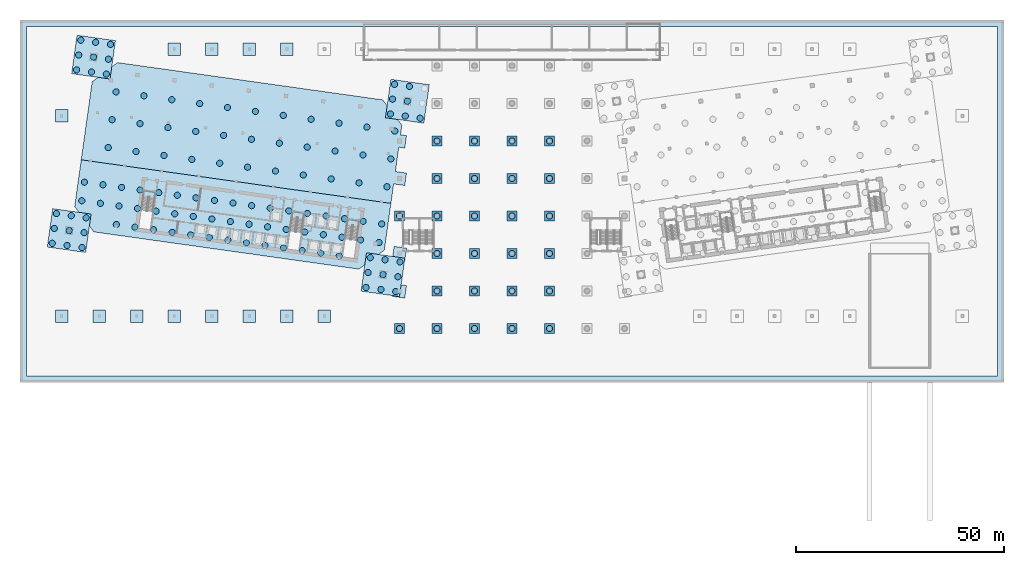
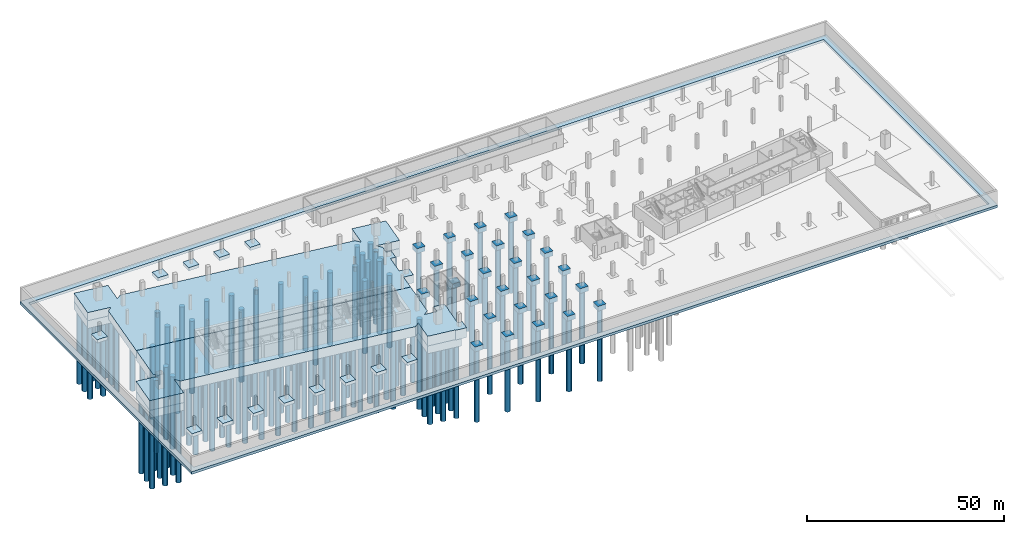
# One storey, part 1 of 19: 140 piles, 46 footings.
"""IFC4 building model written with IfcOpenShell, lengths in metres."""

from ifc_helpers import new_model, si_unit, direction, frame, origin, origin_2d, place, context, subcontext, project, spatial, polyline, circle, outline, extrude, material, material_profile, profile_set, type_object, element, save


model = new_model("IFC4")

# Units and contexts
model_context = context("Model", 3, precision=1e-05, world=origin(), true_north=direction((0.0, 1.0)))
body_context = subcontext(model_context, "Body", "Model", "MODEL_VIEW")
ifc_project = project(units=[si_unit("LENGTHUNIT", "METRE"), si_unit("AREAUNIT", "SQUARE_METRE"), si_unit("VOLUMEUNIT", "CUBIC_METRE"), si_unit("PLANEANGLEUNIT", "RADIAN"), si_unit("MASSUNIT", "GRAM", prefix="KILO")], contexts=[model_context])

# Site, building, storey
site_placement = place(None, origin())
site = spatial("IfcSite", under=ifc_project, at=site_placement, CompositionType="ELEMENT")
building_placement = place(site_placement, origin())
building = spatial("IfcBuilding", under=site, at=building_placement, Name="Mirante Cascada Hotel Towers", CompositionType="ELEMENT")
storey_placement = place(building_placement, frame((0.0, 0.0, -9.0)))
storey = spatial("IfcBuildingStorey", under=building, at=storey_placement, Name="B2", CompositionType="ELEMENT", Elevation=-9.0)

# Piles
ifc_material_1 = material(Name="Concrete C35/45", Category="concrete")
ifc_material_profile = material_profile(ifc_material_1, circle(Radius=0.75, at=origin_2d()), Name="RC D1500")
ifc_profile_set = profile_set([ifc_material_profile], Name="Concrete C35/45")
pile_type = type_object("IfcPileType", Name="Bored pile D1500 C35/45", PredefinedType="BORED", material=ifc_profile_set)
for number, where, z_axis, x_axis, name in (
    (1, (-27.8782, -27.14, -5.3), (0.0, 0.0, -1.0), (1.0, 0.0, 0.0), "pile:F:B2:1"),
    (2, (-27.3771, -23.575, -5.3), (0.0, 0.0, -1.0), (1.0, 0.0, 0.0), "pile:F:B2:2"),
    (3, (-26.8761, -20.01, -5.3), (0.0, 0.0, -1.0), (1.0, 0.0, 0.0), "pile:F:B2:3"),
    (4, (-31.4431, -26.6389, -5.3), (0.0, 0.0, -1.0), (1.0, 0.0, 0.0), "pile:F:B2:4"),
    (5, (-30.9421, -23.074, -5.3), (0.0, 0.0, -1.0), (1.0, 0.0, 0.0), "pile:F:B2:5"),
    (6, (-30.4411, -19.509, -5.3), (0.0, 0.0, -1.0), (1.0, 0.0, 0.0), "pile:F:B2:6"),
    (7, (-35.0081, -26.1379, -5.3), (0.0, 0.0, -1.0), (1.0, 0.0, 0.0), "pile:F:B2:7"),
    (8, (-34.5071, -22.573, -5.3), (0.0, 0.0, -1.0), (1.0, 0.0, 0.0), "pile:F:B2:8"),
    (9, (-34.006, -19.008, -5.3), (0.0, 0.0, -1.0), (1.0, 0.0, 0.0), "pile:F:B2:9"),
    (10, (-103.1385, -16.5628, -5.3), (0.0, 0.0, -1.0), (1.0, 0.0, 0.0), "pile:F:B2:10"),
    (11, (-102.6375, -12.9978, -5.3), (0.0, 0.0, -1.0), (1.0, 0.0, 0.0), "pile:F:B2:11"),
    (12, (-102.1365, -9.4329, -5.3), (0.0, 0.0, -1.0), (1.0, 0.0, 0.0), "pile:F:B2:12"),
    (13, (-106.7035, -16.0618, -5.3), (0.0, 0.0, -1.0), (1.0, 0.0, 0.0), "pile:F:B2:13"),
    (14, (-106.2025, -12.4968, -5.3), (0.0, 0.0, -1.0), (1.0, 0.0, 0.0), "pile:F:B2:14"),
    (15, (-105.7014, -8.9319, -5.3), (0.0, 0.0, -1.0), (1.0, 0.0, 0.0), "pile:F:B2:15"),
    (16, (-110.2685, -15.5608, -5.3), (0.0, 0.0, -1.0), (1.0, 0.0, 0.0), "pile:F:B2:16"),
    (17, (-109.7674, -11.9958, -5.3), (0.0, 0.0, -1.0), (1.0, 0.0, 0.0), "pile:F:B2:17"),
    (18, (-109.2664, -8.4308, -5.3), (0.0, 0.0, -1.0), (1.0, 0.0, 0.0), "pile:F:B2:18"),
    (19, (-97.2933, 25.0285, -4.8), (0.0, 0.0, -1.0), (1.0, 0.0, 0.0), "pile:F:B2:19"),
    (20, (-96.7922, 28.5934, -4.8), (0.0, 0.0, -1.0), (1.0, 0.0, 0.0), "pile:F:B2:20"),
    (21, (-96.2912, 32.1584, -4.8), (0.0, 0.0, -1.0), (1.0, 0.0, 0.0), "pile:F:B2:21"),
    (22, (-100.8582, 25.5295, -4.8), (0.0, 0.0, -1.0), (1.0, 0.0, 0.0), "pile:F:B2:22"),
    (23, (-100.3572, 29.0944, -4.8), (0.0, 0.0, -1.0), (1.0, 0.0, 0.0), "pile:F:B2:23"),
    (24, (-99.8562, 32.6594, -4.8), (0.0, 0.0, -1.0), (1.0, 0.0, 0.0), "pile:F:B2:24"),
    (25, (-104.4232, 26.0305, -4.8), (0.0, 0.0, -1.0), (1.0, 0.0, 0.0), "pile:F:B2:25"),
    (26, (-103.9222, 29.5955, -4.8), (0.0, 0.0, -1.0), (1.0, 0.0, 0.0), "pile:F:B2:26"),
    (27, (-103.4211, 33.1604, -4.8), (0.0, 0.0, -1.0), (1.0, 0.0, 0.0), "pile:F:B2:27"),
    (28, (-22.0329, 14.4513, -4.8), (0.0, 0.0, -1.0), (1.0, 0.0, 0.0), "pile:F:B2:28"),
    (29, (-25.5979, 14.9523, -4.8), (0.0, 0.0, -1.0), (1.0, 0.0, 0.0), "pile:F:B2:31"),
    (30, (-25.0968, 18.5173, -4.8), (0.0, 0.0, -1.0), (1.0, 0.0, 0.0), "pile:F:B2:32"),
    (31, (-24.5958, 22.0822, -4.8), (0.0, 0.0, -1.0), (1.0, 0.0, 0.0), "pile:F:B2:33"),
    (32, (-29.1628, 15.4533, -4.8), (0.0, 0.0, -1.0), (1.0, 0.0, 0.0), "pile:F:B2:34"),
    (33, (-28.6618, 19.0183, -4.8), (0.0, 0.0, -1.0), (1.0, 0.0, 0.0), "pile:F:B2:35"),
    (34, (-28.1608, 22.5833, -4.8), (0.0, 0.0, -1.0), (1.0, 0.0, 0.0), "pile:F:B2:36"),
    (35, (-31.8788, -15.3686, -2.9), (0.0, 0.0, -1.0), (1.0, 0.0, 0.0), "pile:F:B2:37"),
    (36, (-31.2526, -10.9124, -2.9), (0.0, 0.0, -1.0), (1.0, 0.0, 0.0), "pile:F:B2:38"),
    (37, (-36.335, -14.7423, -2.9), (0.0, 0.0, -1.0), (1.0, 0.0, 0.0), "pile:F:B2:39"),
    (38, (-35.7088, -10.2861, -2.9), (0.0, 0.0, -1.0), (1.0, 0.0, 0.0), "pile:F:B2:40"),
    (39, (-41.4175, -18.5723, -2.9), (0.0, 0.0, -1.0), (1.0, 0.0, 0.0), "pile:F:B2:41"),
    (40, (-40.7912, -14.1161, -2.9), (0.0, 0.0, -1.0), (1.0, 0.0, 0.0), "pile:F:B2:42"),
    (41, (-40.165, -9.6599, -2.9), (0.0, 0.0, -1.0), (1.0, 0.0, 0.0), "pile:F:B2:43"),
    (42, (-45.8737, -17.946, -2.9), (0.0, 0.0, -1.0), (1.0, 0.0, 0.0), "pile:F:B2:44"),
    (43, (-45.2475, -13.4898, -2.9), (0.0, 0.0, -1.0), (1.0, 0.0, 0.0), "pile:F:B2:45"),
    (44, (-44.6212, -9.0336, -2.9), (0.0, 0.0, -1.0), (1.0, 0.0, 0.0), "pile:F:B2:46"),
    (45, (-50.3299, -17.3197, -2.9), (0.0, 0.0, -1.0), (1.0, 0.0, 0.0), "pile:F:B2:47"),
    (46, (-49.7037, -12.8635, -2.9), (0.0, 0.0, -1.0), (1.0, 0.0, 0.0), "pile:F:B2:48"),
    (47, (-49.0774, -8.4073, -2.9), (0.0, 0.0, -1.0), (1.0, 0.0, 0.0), "pile:F:B2:49"),
    (48, (-54.7861, -16.6934, -2.9), (0.0, 0.0, -1.0), (1.0, 0.0, 0.0), "pile:F:B2:50"),
    (49, (-54.1599, -12.2372, -2.9), (0.0, 0.0, -1.0), (1.0, 0.0, 0.0), "pile:F:B2:51"),
    (50, (-53.5336, -7.781, -2.9), (0.0, 0.0, -1.0), (1.0, 0.0, 0.0), "pile:F:B2:52"),
    (51, (-59.2424, -16.0672, -2.9), (0.0, 0.0, -1.0), (1.0, 0.0, 0.0), "pile:F:B2:53"),
    (52, (-58.6161, -11.6109, -2.9), (0.0, 0.0, -1.0), (1.0, 0.0, 0.0), "pile:F:B2:54"),
    (53, (-57.9898, -7.1547, -2.9), (0.0, 0.0, -1.0), (1.0, 0.0, 0.0), "pile:F:B2:55"),
    (54, (-63.6986, -15.4409, -2.9), (0.0, 0.0, -1.0), (1.0, 0.0, 0.0), "pile:F:B2:56"),
    (55, (-63.0723, -10.9847, -2.9), (0.0, 0.0, -1.0), (1.0, 0.0, 0.0), "pile:F:B2:57"),
    (56, (-62.446, -6.5285, -2.9), (0.0, 0.0, -1.0), (1.0, 0.0, 0.0), "pile:F:B2:58"),
    (57, (-68.1548, -14.8146, -2.9), (0.0, 0.0, -1.0), (1.0, 0.0, 0.0), "pile:F:B2:59"),
    (58, (-67.5285, -10.3584, -2.9), (0.0, 0.0, -1.0), (1.0, 0.0, 0.0), "pile:F:B2:60"),
    (59, (-66.9022, -5.9022, -2.9), (0.0, 0.0, -1.0), (1.0, 0.0, 0.0), "pile:F:B2:61"),
    (60, (-72.611, -14.1883, -2.9), (0.0, 0.0, -1.0), (1.0, 0.0, 0.0), "pile:F:B2:62"),
    (61, (-71.9847, -9.7321, -2.9), (0.0, 0.0, -1.0), (1.0, 0.0, 0.0), "pile:F:B2:63"),
    (62, (-71.3584, -5.2759, -2.9), (0.0, 0.0, -1.0), (1.0, 0.0, 0.0), "pile:F:B2:64"),
    (63, (-77.0672, -13.562, -2.9), (0.0, 0.0, -1.0), (1.0, 0.0, 0.0), "pile:F:B2:65"),
    (64, (-76.4409, -9.1058, -2.9), (0.0, 0.0, -1.0), (1.0, 0.0, 0.0), "pile:F:B2:66"),
    (65, (-75.8146, -4.6496, -2.9), (0.0, 0.0, -1.0), (1.0, 0.0, 0.0), "pile:F:B2:67"),
    (66, (-81.5234, -12.9358, -2.9), (0.0, 0.0, -1.0), (1.0, 0.0, 0.0), "pile:F:B2:68"),
    (67, (-80.8971, -8.4796, -2.9), (0.0, 0.0, -1.0), (1.0, 0.0, 0.0), "pile:F:B2:69"),
    (68, (-80.2708, -4.0233, -2.9), (0.0, 0.0, -1.0), (1.0, 0.0, 0.0), "pile:F:B2:70"),
    (69, (-85.9796, -12.3095, -2.9), (0.0, 0.0, -1.0), (1.0, 0.0, 0.0), "pile:F:B2:71"),
    (70, (-85.3533, -7.8533, -2.9), (0.0, 0.0, -1.0), (1.0, 0.0, 0.0), "pile:F:B2:72"),
    (71, (-84.727, -3.3971, -2.9), (0.0, 0.0, -1.0), (1.0, 0.0, 0.0), "pile:F:B2:73"),
    (72, (-90.4358, -11.6832, -2.9), (0.0, 0.0, -1.0), (1.0, 0.0, 0.0), "pile:F:B2:74"),
    (73, (-89.8095, -7.227, -2.9), (0.0, 0.0, -1.0), (1.0, 0.0, 0.0), "pile:F:B2:75"),
    (74, (-89.1832, -2.7708, -2.9), (0.0, 0.0, -1.0), (1.0, 0.0, 0.0), "pile:F:B2:76"),
    (75, (-94.892, -11.0569, -2.9), (0.0, 0.0, -1.0), (1.0, 0.0, 0.0), "pile:F:B2:77"),
    (76, (-94.2657, -6.6007, -2.9), (0.0, 0.0, -1.0), (1.0, 0.0, 0.0), "pile:F:B2:78"),
    (77, (-93.6394, -2.1445, -2.9), (0.0, 0.0, -1.0), (1.0, 0.0, 0.0), "pile:F:B2:79"),
    (78, (-98.7219, -5.9744, -2.9), (0.0, 0.0, -1.0), (1.0, 0.0, 0.0), "pile:F:B2:80"),
    (79, (-98.0957, -1.5182, -2.9), (0.0, 0.0, -1.0), (1.0, 0.0, 0.0), "pile:F:B2:81"),
    (80, (-103.1781, -5.3482, -2.9), (0.0, 0.0, -1.0), (1.0, 0.0, 0.0), "pile:F:B2:82"),
    (81, (-102.5519, -0.8919, -2.9), (0.0, 0.0, -1.0), (1.0, 0.0, 0.0), "pile:F:B2:83"),
    (82, (-30.0, -2.0, -2.4), (0.0, 0.0, -1.0), (1.0, 0.0, 0.0), "pile:F:B2:84"),
    (83, (-29.0606, 4.6843, -2.4), (0.0, 0.0, -1.0), (1.0, 0.0, 0.0), "pile:F:B2:85"),
    (84, (-28.1212, 11.3686, -2.4), (0.0, 0.0, -1.0), (1.0, 0.0, 0.0), "pile:F:B2:86"),
    (85, (-36.6843, -1.0606, -2.4), (0.0, 0.0, -1.0), (1.0, 0.0, 0.0), "pile:F:B2:87"),
    (86, (-35.7449, 5.6237, -2.4), (0.0, 0.0, -1.0), (1.0, 0.0, 0.0), "pile:F:B2:88"),
    (87, (-34.8055, 12.308, -2.4), (0.0, 0.0, -1.0), (1.0, 0.0, 0.0), "pile:F:B2:89"),
    (88, (-43.3686, -0.1212, -2.4), (0.0, 0.0, -1.0), (1.0, 0.0, 0.0), "pile:F:B2:90"),
    (89, (-42.4292, 6.5631, -2.4), (0.0, 0.0, -1.0), (1.0, 0.0, 0.0), "pile:F:B2:91"),
    (90, (-41.4898, 13.2475, -2.4), (0.0, 0.0, -1.0), (1.0, 0.0, 0.0), "pile:F:B2:92"),
    (91, (-50.0529, 0.8183, -2.4), (0.0, 0.0, -1.0), (1.0, 0.0, 0.0), "pile:F:B2:93"),
    (92, (-49.1135, 7.5026, -2.4), (0.0, 0.0, -1.0), (1.0, 0.0, 0.0), "pile:F:B2:94"),
    (93, (-48.1741, 14.1869, -2.4), (0.0, 0.0, -1.0), (1.0, 0.0, 0.0), "pile:F:B2:95"),
    (94, (-56.7372, 1.7577, -2.4), (0.0, 0.0, -1.0), (1.0, 0.0, 0.0), "pile:F:B2:96"),
    (95, (-55.7978, 8.442, -2.4), (0.0, 0.0, -1.0), (1.0, 0.0, 0.0), "pile:F:B2:97"),
    (96, (-54.8584, 15.1263, -2.4), (0.0, 0.0, -1.0), (1.0, 0.0, 0.0), "pile:F:B2:98"),
    (97, (-63.4215, 2.6971, -2.4), (0.0, 0.0, -1.0), (1.0, 0.0, 0.0), "pile:F:B2:99"),
    (98, (-62.4821, 9.3814, -2.4), (0.0, 0.0, -1.0), (1.0, 0.0, 0.0), "pile:F:B2:100"),
    (99, (-61.5427, 16.0657, -2.4), (0.0, 0.0, -1.0), (1.0, 0.0, 0.0), "pile:F:B2:101"),
    (100, (-70.1059, 3.6365, -2.4), (0.0, 0.0, -1.0), (1.0, 0.0, 0.0), "pile:F:B2:102"),
    (101, (-69.1664, 10.3208, -2.4), (0.0, 0.0, -1.0), (1.0, 0.0, 0.0), "pile:F:B2:103"),
    (102, (-68.227, 17.0051, -2.4), (0.0, 0.0, -1.0), (1.0, 0.0, 0.0), "pile:F:B2:104"),
    (103, (-76.7902, 4.5759, -2.4), (0.0, 0.0, -1.0), (1.0, 0.0, 0.0), "pile:F:B2:105"),
    (104, (-75.8507, 11.2602, -2.4), (0.0, 0.0, -1.0), (1.0, 0.0, 0.0), "pile:F:B2:106"),
    (105, (-74.9113, 17.9445, -2.4), (0.0, 0.0, -1.0), (1.0, 0.0, 0.0), "pile:F:B2:107"),
    (106, (-83.4745, 5.5153, -2.4), (0.0, 0.0, -1.0), (1.0, 0.0, 0.0), "pile:F:B2:108"),
    (107, (-82.5351, 12.1997, -2.4), (0.0, 0.0, -1.0), (1.0, 0.0, 0.0), "pile:F:B2:109"),
    (108, (-81.5956, 18.884, -2.4), (0.0, 0.0, -1.0), (1.0, 0.0, 0.0), "pile:F:B2:110"),
    (109, (-90.1588, 6.4548, -2.4), (0.0, 0.0, -1.0), (1.0, 0.0, 0.0), "pile:F:B2:111"),
    (110, (-89.2194, 13.1391, -2.4), (0.0, 0.0, -1.0), (1.0, 0.0, 0.0), "pile:F:B2:112"),
    (111, (-88.2799, 19.8234, -2.4), (0.0, 0.0, -1.0), (1.0, 0.0, 0.0), "pile:F:B2:113"),
    (112, (-96.8431, 7.3942, -2.4), (0.0, 0.0, -1.0), (1.0, 0.0, 0.0), "pile:F:B2:114"),
    (113, (-95.9037, 14.0785, -2.4), (0.0, 0.0, -1.0), (1.0, 0.0, 0.0), "pile:F:B2:115"),
    (114, (-94.9643, 20.7628, -2.4), (0.0, 0.0, -1.0), (1.0, 0.0, 0.0), "pile:F:B2:116"),
    (115, (-27.0, -36.0, -1.4), (0.0, 0.0, -1.0), (1.0, 0.0, 0.0), "pile:F:B2:233"),
    (116, (-18.0, -36.0, -1.4), (0.0, 0.0, -1.0), (1.0, 0.0, 0.0), "pile:F:B2:234"),
    (117, (-9.0, -36.0, -1.4), (0.0, 0.0, -1.0), (1.0, 0.0, 0.0), "pile:F:B2:235"),
    (118, (0.0, -36.0, -1.4), (0.0, 0.0, -1.0), (1.0, 0.0, 0.0), "pile:F:B2:236"),
    (119, (9.0, -36.0, -1.4), (0.0, 0.0, -1.0), (1.0, 0.0, 0.0), "pile:F:B2:237"),
    (120, (-18.0, -27.0, -1.4), (0.0, 0.0, -1.0), (1.0, 0.0, 0.0), "pile:F:B2:240"),
    (121, (-9.0, -27.0, -1.4), (0.0, 0.0, -1.0), (1.0, 0.0, 0.0), "pile:F:B2:241"),
    (122, (0.0, -27.0, -1.4), (0.0, 0.0, -1.0), (1.0, 0.0, 0.0), "pile:F:B2:242"),
    (123, (9.0, -27.0, -1.4), (0.0, 0.0, -1.0), (1.0, 0.0, 0.0), "pile:F:B2:243"),
    (124, (-18.0, -18.0, -1.4), (0.0, 0.0, -1.0), (1.0, 0.0, 0.0), "pile:F:B2:245"),
    (125, (-9.0, -18.0, -1.4), (0.0, 0.0, -1.0), (1.0, 0.0, 0.0), "pile:F:B2:246"),
    (126, (0.0, -18.0, -1.4), (0.0, 0.0, -1.0), (1.0, 0.0, 0.0), "pile:F:B2:247"),
    (127, (9.0, -18.0, -1.4), (0.0, 0.0, -1.0), (1.0, 0.0, 0.0), "pile:F:B2:248"),
    (128, (-27.0, -9.0, -1.4), (0.0, 0.0, -1.0), (1.0, 0.0, 0.0), "pile:F:B2:250"),
    (129, (-18.0, -9.0, -1.4), (0.0, 0.0, -1.0), (1.0, 0.0, 0.0), "pile:F:B2:251"),
    (130, (-9.0, -9.0, -1.4), (0.0, 0.0, -1.0), (1.0, 0.0, 0.0), "pile:F:B2:252"),
    (131, (0.0, -9.0, -1.4), (0.0, 0.0, -1.0), (1.0, 0.0, 0.0), "pile:F:B2:253"),
    (132, (9.0, -9.0, -1.4), (0.0, 0.0, -1.0), (1.0, 0.0, 0.0), "pile:F:B2:254"),
    (133, (-18.0, 0.0, -1.4), (0.0, 0.0, -1.0), (1.0, 0.0, 0.0), "pile:F:B2:257"),
    (134, (-9.0, 0.0, -1.4), (0.0, 0.0, -1.0), (1.0, 0.0, 0.0), "pile:F:B2:258"),
    (135, (0.0, 0.0, -1.4), (0.0, 0.0, -1.0), (1.0, 0.0, 0.0), "pile:F:B2:259"),
    (136, (9.0, 0.0, -1.4), (0.0, 0.0, -1.0), (1.0, 0.0, 0.0), "pile:F:B2:260"),
    (137, (-18.0, 9.0, -1.4), (0.0, 0.0, -1.0), (1.0, 0.0, 0.0), "pile:F:B2:262"),
    (138, (-9.0, 9.0, -1.4), (0.0, 0.0, -1.0), (1.0, 0.0, 0.0), "pile:F:B2:263"),
    (139, (0.0, 9.0, -1.4), (0.0, 0.0, -1.0), (1.0, 0.0, 0.0), "pile:F:B2:264"),
    (140, (9.0, 9.0, -1.4), (0.0, 0.0, -1.0), (1.0, 0.0, 0.0), "pile:F:B2:265"),
):
    element("IfcPile", number, at=place(storey_placement, frame(where, z_axis=z_axis, x_axis=x_axis)), inside=storey, type_object=pile_type, Name=name, PredefinedType="BORED", context=body_context, shape_type="SweptSolid", body=[
        extrude(circle(Radius=0.75, at=origin_2d()), origin(), (0.0, 0.0, 1.0), 22.5),
    ])

# Footings
ifc_material_2 = material(Name="Concrete C35/45", Category="concrete")
footing_type_1 = type_object("IfcFootingType", Name="Pad footing 3000x3000x1000 C35/45", PredefinedType="PAD_FOOTING", material=ifc_material_2)
footing_1_placement = place(storey_placement, frame((0.0, 0.0, -1.0)))
element("IfcFooting", 141, at=footing_1_placement, inside=storey, type_object=footing_type_1, Name="footing:B:B2:101", PredefinedType="PAD_FOOTING", context=body_context, shape_type="SweptSolid", body=[
    extrude(outline(polyline([(-106.5, -34.5), (-106.5, -31.5), (-109.5, -31.5), (-109.5, -34.5), (-106.5, -34.5)])), origin(), (0.0, 0.0, 1.0), 1.0),
])
footing_2_placement = place(storey_placement, frame((0.0, 0.0, -1.0)))
element("IfcFooting", 142, at=footing_2_placement, inside=storey, type_object=footing_type_1, Name="footing:B:B2:102", PredefinedType="PAD_FOOTING", context=body_context, shape_type="SweptSolid", body=[
    extrude(outline(polyline([(-97.5, -34.5), (-97.5, -31.5), (-100.5, -31.5), (-100.5, -34.5), (-97.5, -34.5)])), origin(), (0.0, 0.0, 1.0), 1.0),
])
footing_3_placement = place(storey_placement, frame((0.0, 0.0, -1.0)))
element("IfcFooting", 143, at=footing_3_placement, inside=storey, type_object=footing_type_1, Name="footing:B:B2:103", PredefinedType="PAD_FOOTING", context=body_context, shape_type="SweptSolid", body=[
    extrude(outline(polyline([(-88.5, -34.5), (-88.5, -31.5), (-91.5, -31.5), (-91.5, -34.5), (-88.5, -34.5)])), origin(), (0.0, 0.0, 1.0), 1.0),
])
footing_4_placement = place(storey_placement, frame((0.0, 0.0, -1.0)))
element("IfcFooting", 144, at=footing_4_placement, inside=storey, type_object=footing_type_1, Name="footing:B:B2:104", PredefinedType="PAD_FOOTING", context=body_context, shape_type="SweptSolid", body=[
    extrude(outline(polyline([(-79.5, -34.5), (-79.5, -31.5), (-82.5, -31.5), (-82.5, -34.5), (-79.5, -34.5)])), origin(), (0.0, 0.0, 1.0), 1.0),
])
footing_5_placement = place(storey_placement, frame((0.0, 0.0, -1.0)))
element("IfcFooting", 145, at=footing_5_placement, inside=storey, type_object=footing_type_1, Name="footing:B:B2:105", PredefinedType="PAD_FOOTING", context=body_context, shape_type="SweptSolid", body=[
    extrude(outline(polyline([(-70.5, -34.5), (-70.5, -31.5), (-73.5, -31.5), (-73.5, -34.5), (-70.5, -34.5)])), origin(), (0.0, 0.0, 1.0), 1.0),
])
footing_6_placement = place(storey_placement, frame((0.0, 0.0, -1.0)))
element("IfcFooting", 146, at=footing_6_placement, inside=storey, type_object=footing_type_1, Name="footing:B:B2:106", PredefinedType="PAD_FOOTING", context=body_context, shape_type="SweptSolid", body=[
    extrude(outline(polyline([(-61.5, -34.5), (-61.5, -31.5), (-64.5, -31.5), (-64.5, -34.5), (-61.5, -34.5)])), origin(), (0.0, 0.0, 1.0), 1.0),
])
footing_7_placement = place(storey_placement, frame((0.0, 0.0, -1.0)))
element("IfcFooting", 147, at=footing_7_placement, inside=storey, type_object=footing_type_1, Name="footing:B:B2:107", PredefinedType="PAD_FOOTING", context=body_context, shape_type="SweptSolid", body=[
    extrude(outline(polyline([(-52.5, -34.5), (-52.5, -31.5), (-55.5, -31.5), (-55.5, -34.5), (-52.5, -34.5)])), origin(), (0.0, 0.0, 1.0), 1.0),
])
footing_8_placement = place(storey_placement, frame((0.0, 0.0, -1.0)))
element("IfcFooting", 148, at=footing_8_placement, inside=storey, type_object=footing_type_1, Name="footing:B:B2:108", PredefinedType="PAD_FOOTING", context=body_context, shape_type="SweptSolid", body=[
    extrude(outline(polyline([(-43.5, -34.5), (-43.5, -31.5), (-46.5, -31.5), (-46.5, -34.5), (-43.5, -34.5)])), origin(), (0.0, 0.0, 1.0), 1.0),
])
footing_9_placement = place(storey_placement, frame((0.0, 0.0, -1.0)))
element("IfcFooting", 149, at=footing_9_placement, inside=storey, type_object=footing_type_1, Name="footing:B:B2:115", PredefinedType="PAD_FOOTING", context=body_context, shape_type="SweptSolid", body=[
    extrude(outline(polyline([(-106.5, 13.5), (-106.5, 16.5), (-109.5, 16.5), (-109.5, 13.5), (-106.5, 13.5)])), origin(), (0.0, 0.0, 1.0), 1.0),
])
footing_10_placement = place(storey_placement, frame((0.0, 0.0, -1.0)))
element("IfcFooting", 150, at=footing_10_placement, inside=storey, type_object=footing_type_1, Name="footing:B:B2:117", PredefinedType="PAD_FOOTING", context=body_context, shape_type="SweptSolid", body=[
    extrude(outline(polyline([(-79.5, 29.5), (-79.5, 32.5), (-82.5, 32.5), (-82.5, 29.5), (-79.5, 29.5)])), origin(), (0.0, 0.0, 1.0), 1.0),
])
footing_11_placement = place(storey_placement, frame((0.0, 0.0, -1.0)))
element("IfcFooting", 151, at=footing_11_placement, inside=storey, type_object=footing_type_1, Name="footing:B:B2:118", PredefinedType="PAD_FOOTING", context=body_context, shape_type="SweptSolid", body=[
    extrude(outline(polyline([(-70.5, 29.5), (-70.5, 32.5), (-73.5, 32.5), (-73.5, 29.5), (-70.5, 29.5)])), origin(), (0.0, 0.0, 1.0), 1.0),
])
footing_12_placement = place(storey_placement, frame((0.0, 0.0, -1.0)))
element("IfcFooting", 152, at=footing_12_placement, inside=storey, type_object=footing_type_1, Name="footing:B:B2:119", PredefinedType="PAD_FOOTING", context=body_context, shape_type="SweptSolid", body=[
    extrude(outline(polyline([(-61.5, 29.5), (-61.5, 32.5), (-64.5, 32.5), (-64.5, 29.5), (-61.5, 29.5)])), origin(), (0.0, 0.0, 1.0), 1.0),
])
footing_13_placement = place(storey_placement, frame((0.0, 0.0, -1.0)))
element("IfcFooting", 153, at=footing_13_placement, inside=storey, type_object=footing_type_1, Name="footing:B:B2:120", PredefinedType="PAD_FOOTING", context=body_context, shape_type="SweptSolid", body=[
    extrude(outline(polyline([(-52.5, 29.5), (-52.5, 32.5), (-55.5, 32.5), (-55.5, 29.5), (-52.5, 29.5)])), origin(), (0.0, 0.0, 1.0), 1.0),
])
ifc_material_3 = material(Name="Concrete C35/45", Category="concrete")
footing_type_2 = type_object("IfcFootingType", Name="Pile cap 2400x2400x1500 C35/45", PredefinedType="PILE_CAP", material=ifc_material_3)
footing_14_placement = place(storey_placement, frame((0.0, 0.0, -1.5)))
element("IfcFooting", 154, at=footing_14_placement, inside=storey, type_object=footing_type_2, Name="cap:P:B2:1", PredefinedType="PILE_CAP", context=body_context, shape_type="SweptSolid", body=[
    extrude(outline(polyline([(-25.8, -37.2), (-25.8, -34.8), (-28.2, -34.8), (-28.2, -37.2), (-25.8, -37.2)])), origin(), (0.0, 0.0, 1.0), 1.5),
])
footing_15_placement = place(storey_placement, frame((0.0, 0.0, -1.5)))
element("IfcFooting", 155, at=footing_15_placement, inside=storey, type_object=footing_type_2, Name="cap:P:B2:2", PredefinedType="PILE_CAP", context=body_context, shape_type="SweptSolid", body=[
    extrude(outline(polyline([(-16.8, -37.2), (-16.8, -34.8), (-19.2, -34.8), (-19.2, -37.2), (-16.8, -37.2)])), origin(), (0.0, 0.0, 1.0), 1.5),
])
footing_16_placement = place(storey_placement, frame((0.0, 0.0, -1.5)))
element("IfcFooting", 156, at=footing_16_placement, inside=storey, type_object=footing_type_2, Name="cap:P:B2:3", PredefinedType="PILE_CAP", context=body_context, shape_type="SweptSolid", body=[
    extrude(outline(polyline([(-7.8, -37.2), (-7.8, -34.8), (-10.2, -34.8), (-10.2, -37.2), (-7.8, -37.2)])), origin(), (0.0, 0.0, 1.0), 1.5),
])
footing_17_placement = place(storey_placement, frame((0.0, 0.0, -1.5)))
element("IfcFooting", 157, at=footing_17_placement, inside=storey, type_object=footing_type_2, Name="cap:P:B2:4", PredefinedType="PILE_CAP", context=body_context, shape_type="SweptSolid", body=[
    extrude(outline(polyline([(1.2, -37.2), (1.2, -34.8), (-1.2, -34.8), (-1.2, -37.2), (1.2, -37.2)])), origin(), (0.0, 0.0, 1.0), 1.5),
])
footing_18_placement = place(storey_placement, frame((0.0, 0.0, -1.5)))
element("IfcFooting", 158, at=footing_18_placement, inside=storey, type_object=footing_type_2, Name="cap:P:B2:5", PredefinedType="PILE_CAP", context=body_context, shape_type="SweptSolid", body=[
    extrude(outline(polyline([(10.2, -37.2), (10.2, -34.8), (7.8, -34.8), (7.8, -37.2), (10.2, -37.2)])), origin(), (0.0, 0.0, 1.0), 1.5),
])
footing_19_placement = place(storey_placement, frame((0.0, 0.0, -1.5)))
element("IfcFooting", 159, at=footing_19_placement, inside=storey, type_object=footing_type_2, Name="cap:P:B2:8", PredefinedType="PILE_CAP", context=body_context, shape_type="SweptSolid", body=[
    extrude(outline(polyline([(-16.8, -28.2), (-16.8, -25.8), (-19.2, -25.8), (-19.2, -28.2), (-16.8, -28.2)])), origin(), (0.0, 0.0, 1.0), 1.5),
])
footing_20_placement = place(storey_placement, frame((0.0, 0.0, -1.5)))
element("IfcFooting", 160, at=footing_20_placement, inside=storey, type_object=footing_type_2, Name="cap:P:B2:9", PredefinedType="PILE_CAP", context=body_context, shape_type="SweptSolid", body=[
    extrude(outline(polyline([(-7.8, -28.2), (-7.8, -25.8), (-10.2, -25.8), (-10.2, -28.2), (-7.8, -28.2)])), origin(), (0.0, 0.0, 1.0), 1.5),
])
footing_21_placement = place(storey_placement, frame((0.0, 0.0, -1.5)))
element("IfcFooting", 161, at=footing_21_placement, inside=storey, type_object=footing_type_2, Name="cap:P:B2:10", PredefinedType="PILE_CAP", context=body_context, shape_type="SweptSolid", body=[
    extrude(outline(polyline([(1.2, -28.2), (1.2, -25.8), (-1.2, -25.8), (-1.2, -28.2), (1.2, -28.2)])), origin(), (0.0, 0.0, 1.0), 1.5),
])
footing_22_placement = place(storey_placement, frame((0.0, 0.0, -1.5)))
element("IfcFooting", 162, at=footing_22_placement, inside=storey, type_object=footing_type_2, Name="cap:P:B2:11", PredefinedType="PILE_CAP", context=body_context, shape_type="SweptSolid", body=[
    extrude(outline(polyline([(10.2, -28.2), (10.2, -25.8), (7.8, -25.8), (7.8, -28.2), (10.2, -28.2)])), origin(), (0.0, 0.0, 1.0), 1.5),
])
footing_23_placement = place(storey_placement, frame((0.0, 0.0, -1.5)))
element("IfcFooting", 163, at=footing_23_placement, inside=storey, type_object=footing_type_2, Name="cap:P:B2:13", PredefinedType="PILE_CAP", context=body_context, shape_type="SweptSolid", body=[
    extrude(outline(polyline([(-16.8, -19.2), (-16.8, -16.8), (-19.2, -16.8), (-19.2, -19.2), (-16.8, -19.2)])), origin(), (0.0, 0.0, 1.0), 1.5),
])
footing_24_placement = place(storey_placement, frame((0.0, 0.0, -1.5)))
element("IfcFooting", 164, at=footing_24_placement, inside=storey, type_object=footing_type_2, Name="cap:P:B2:14", PredefinedType="PILE_CAP", context=body_context, shape_type="SweptSolid", body=[
    extrude(outline(polyline([(-7.8, -19.2), (-7.8, -16.8), (-10.2, -16.8), (-10.2, -19.2), (-7.8, -19.2)])), origin(), (0.0, 0.0, 1.0), 1.5),
])
footing_25_placement = place(storey_placement, frame((0.0, 0.0, -1.5)))
element("IfcFooting", 165, at=footing_25_placement, inside=storey, type_object=footing_type_2, Name="cap:P:B2:15", PredefinedType="PILE_CAP", context=body_context, shape_type="SweptSolid", body=[
    extrude(outline(polyline([(1.2, -19.2), (1.2, -16.8), (-1.2, -16.8), (-1.2, -19.2), (1.2, -19.2)])), origin(), (0.0, 0.0, 1.0), 1.5),
])
footing_26_placement = place(storey_placement, frame((0.0, 0.0, -1.5)))
element("IfcFooting", 166, at=footing_26_placement, inside=storey, type_object=footing_type_2, Name="cap:P:B2:16", PredefinedType="PILE_CAP", context=body_context, shape_type="SweptSolid", body=[
    extrude(outline(polyline([(10.2, -19.2), (10.2, -16.8), (7.8, -16.8), (7.8, -19.2), (10.2, -19.2)])), origin(), (0.0, 0.0, 1.0), 1.5),
])
footing_27_placement = place(storey_placement, frame((0.0, 0.0, -1.5)))
element("IfcFooting", 167, at=footing_27_placement, inside=storey, type_object=footing_type_2, Name="cap:P:B2:18", PredefinedType="PILE_CAP", context=body_context, shape_type="SweptSolid", body=[
    extrude(outline(polyline([(-25.8, -10.2), (-25.8, -7.8), (-28.2, -7.8), (-28.2, -10.2), (-25.8, -10.2)])), origin(), (0.0, 0.0, 1.0), 1.5),
])
footing_28_placement = place(storey_placement, frame((0.0, 0.0, -1.5)))
element("IfcFooting", 168, at=footing_28_placement, inside=storey, type_object=footing_type_2, Name="cap:P:B2:19", PredefinedType="PILE_CAP", context=body_context, shape_type="SweptSolid", body=[
    extrude(outline(polyline([(-16.8, -10.2), (-16.8, -7.8), (-19.2, -7.8), (-19.2, -10.2), (-16.8, -10.2)])), origin(), (0.0, 0.0, 1.0), 1.5),
])
footing_29_placement = place(storey_placement, frame((0.0, 0.0, -1.5)))
element("IfcFooting", 169, at=footing_29_placement, inside=storey, type_object=footing_type_2, Name="cap:P:B2:20", PredefinedType="PILE_CAP", context=body_context, shape_type="SweptSolid", body=[
    extrude(outline(polyline([(-7.8, -10.2), (-7.8, -7.8), (-10.2, -7.8), (-10.2, -10.2), (-7.8, -10.2)])), origin(), (0.0, 0.0, 1.0), 1.5),
])
footing_30_placement = place(storey_placement, frame((0.0, 0.0, -1.5)))
element("IfcFooting", 170, at=footing_30_placement, inside=storey, type_object=footing_type_2, Name="cap:P:B2:21", PredefinedType="PILE_CAP", context=body_context, shape_type="SweptSolid", body=[
    extrude(outline(polyline([(1.2, -10.2), (1.2, -7.8), (-1.2, -7.8), (-1.2, -10.2), (1.2, -10.2)])), origin(), (0.0, 0.0, 1.0), 1.5),
])
footing_31_placement = place(storey_placement, frame((0.0, 0.0, -1.5)))
element("IfcFooting", 171, at=footing_31_placement, inside=storey, type_object=footing_type_2, Name="cap:P:B2:22", PredefinedType="PILE_CAP", context=body_context, shape_type="SweptSolid", body=[
    extrude(outline(polyline([(10.2, -10.2), (10.2, -7.8), (7.8, -7.8), (7.8, -10.2), (10.2, -10.2)])), origin(), (0.0, 0.0, 1.0), 1.5),
])
footing_32_placement = place(storey_placement, frame((0.0, 0.0, -1.5)))
element("IfcFooting", 172, at=footing_32_placement, inside=storey, type_object=footing_type_2, Name="cap:P:B2:25", PredefinedType="PILE_CAP", context=body_context, shape_type="SweptSolid", body=[
    extrude(outline(polyline([(-16.8, -1.2), (-16.8, 1.2), (-19.2, 1.2), (-19.2, -1.2), (-16.8, -1.2)])), origin(), (0.0, 0.0, 1.0), 1.5),
])
footing_33_placement = place(storey_placement, frame((0.0, 0.0, -1.5)))
element("IfcFooting", 173, at=footing_33_placement, inside=storey, type_object=footing_type_2, Name="cap:P:B2:26", PredefinedType="PILE_CAP", context=body_context, shape_type="SweptSolid", body=[
    extrude(outline(polyline([(-7.8, -1.2), (-7.8, 1.2), (-10.2, 1.2), (-10.2, -1.2), (-7.8, -1.2)])), origin(), (0.0, 0.0, 1.0), 1.5),
])
footing_34_placement = place(storey_placement, frame((0.0, 0.0, -1.5)))
element("IfcFooting", 174, at=footing_34_placement, inside=storey, type_object=footing_type_2, Name="cap:P:B2:27", PredefinedType="PILE_CAP", context=body_context, shape_type="SweptSolid", body=[
    extrude(outline(polyline([(1.2, -1.2), (1.2, 1.2), (-1.2, 1.2), (-1.2, -1.2), (1.2, -1.2)])), origin(), (0.0, 0.0, 1.0), 1.5),
])
footing_35_placement = place(storey_placement, frame((0.0, 0.0, -1.5)))
element("IfcFooting", 175, at=footing_35_placement, inside=storey, type_object=footing_type_2, Name="cap:P:B2:28", PredefinedType="PILE_CAP", context=body_context, shape_type="SweptSolid", body=[
    extrude(outline(polyline([(10.2, -1.2), (10.2, 1.2), (7.8, 1.2), (7.8, -1.2), (10.2, -1.2)])), origin(), (0.0, 0.0, 1.0), 1.5),
])
footing_36_placement = place(storey_placement, frame((0.0, 0.0, -1.5)))
element("IfcFooting", 176, at=footing_36_placement, inside=storey, type_object=footing_type_2, Name="cap:P:B2:30", PredefinedType="PILE_CAP", context=body_context, shape_type="SweptSolid", body=[
    extrude(outline(polyline([(-16.8, 7.8), (-16.8, 10.2), (-19.2, 10.2), (-19.2, 7.8), (-16.8, 7.8)])), origin(), (0.0, 0.0, 1.0), 1.5),
])
footing_37_placement = place(storey_placement, frame((0.0, 0.0, -1.5)))
element("IfcFooting", 177, at=footing_37_placement, inside=storey, type_object=footing_type_2, Name="cap:P:B2:31", PredefinedType="PILE_CAP", context=body_context, shape_type="SweptSolid", body=[
    extrude(outline(polyline([(-7.8, 7.8), (-7.8, 10.2), (-10.2, 10.2), (-10.2, 7.8), (-7.8, 7.8)])), origin(), (0.0, 0.0, 1.0), 1.5),
])
footing_38_placement = place(storey_placement, frame((0.0, 0.0, -1.5)))
element("IfcFooting", 178, at=footing_38_placement, inside=storey, type_object=footing_type_2, Name="cap:P:B2:32", PredefinedType="PILE_CAP", context=body_context, shape_type="SweptSolid", body=[
    extrude(outline(polyline([(1.2, 7.8), (1.2, 10.2), (-1.2, 10.2), (-1.2, 7.8), (1.2, 7.8)])), origin(), (0.0, 0.0, 1.0), 1.5),
])
footing_39_placement = place(storey_placement, frame((0.0, 0.0, -1.5)))
element("IfcFooting", 179, at=footing_39_placement, inside=storey, type_object=footing_type_2, Name="cap:P:B2:33", PredefinedType="PILE_CAP", context=body_context, shape_type="SweptSolid", body=[
    extrude(outline(polyline([(10.2, 7.8), (10.2, 10.2), (7.8, 10.2), (7.8, 7.8), (10.2, 7.8)])), origin(), (0.0, 0.0, 1.0), 1.5),
])
ifc_material_4 = material(Name="Concrete C35/45", Category="concrete")
footing_type_3 = type_object("IfcFootingType", Name="Pile cap 9300x9300x2400 C35/45", PredefinedType="PILE_CAP", material=ifc_material_4)
footing_40_placement = place(storey_placement, frame((0.0, 0.0, -5.4)))
element("IfcFooting", 180, at=footing_40_placement, inside=storey, type_object=footing_type_3, Name="cap:T1:B2:1", PredefinedType="PILE_CAP", context=body_context, shape_type="SweptSolid", body=[
    extrude(outline(polyline([(-36.194, -27.0316), (-34.8997, -17.8221), (-25.6902, -19.1164), (-26.9845, -28.3259), (-36.194, -27.0316)])), origin(), (0.0, 0.0, 1.0), 2.4),
])
footing_41_placement = place(storey_placement, frame((0.0, 0.0, -5.4)))
element("IfcFooting", 181, at=footing_41_placement, inside=storey, type_object=footing_type_3, Name="cap:T1:B2:2", PredefinedType="PILE_CAP", context=body_context, shape_type="SweptSolid", body=[
    extrude(outline(polyline([(-111.4544, -16.4544), (-110.1601, -7.2449), (-100.9506, -8.5392), (-102.2449, -17.7487), (-111.4544, -16.4544)])), origin(), (0.0, 0.0, 1.0), 2.4),
])
footing_42_placement = place(storey_placement, frame((0.0, 0.0, -4.9)))
element("IfcFooting", 182, at=footing_42_placement, inside=storey, type_object=footing_type_3, Name="cap:T1:B2:3", PredefinedType="PILE_CAP", context=body_context, shape_type="SweptSolid", body=[
    extrude(outline(polyline([(-105.6091, 25.1368), (-104.3148, 34.3463), (-95.1053, 33.052), (-96.3996, 23.8425), (-105.6091, 25.1368)])), origin(), (0.0, 0.0, 1.0), 2.4),
])
footing_43_placement = place(storey_placement, frame((0.0, 0.0, -4.9)))
element("IfcFooting", 183, at=footing_43_placement, inside=storey, type_object=footing_type_3, Name="cap:T1:B2:4", PredefinedType="PILE_CAP", context=body_context, shape_type="SweptSolid", body=[
    extrude(outline(polyline([(-30.3487, 14.5597), (-29.0544, 23.7692), (-19.8449, 22.4749), (-21.1392, 13.2654), (-30.3487, 14.5597)])), origin(), (0.0, 0.0, 1.0), 2.4),
])
ifc_material_5 = material(Name="Concrete C35/45", Category="concrete")
footing_type_4 = type_object("IfcFootingType", Name="Raft 2500 C35/45", PredefinedType="USERDEFINED", material=ifc_material_5)
footing_44_placement = place(storey_placement, frame((-64.1292, 13.8289, -2.5), x_axis=(-0.9902681, 0.1391731, 0.0)))
element("IfcFooting", 184, at=footing_44_placement, inside=storey, type_object=footing_type_4, Name="raft:T1:B2:2", ObjectType="RAFT", PredefinedType="USERDEFINED", context=body_context, shape_type="SweptSolid", body=[
    extrude(outline(polyline([(-37.5, 10.0269), (-37.5, 14.725), (37.5, 14.725), (37.5, -4.1963), (36.2713, -5.425), (42.65, -5.425), (42.65, -14.725), (33.35, -14.725), (33.35, -8.3463), (32.1213, -9.575), (-32.1213, -9.575), (-33.35, -8.3463), (-33.35, -14.725), (-42.65, -14.725), (-42.65, -5.425), (-36.2713, -5.425), (-37.5, -4.1963), (-37.5, -1.8855), (-38.9399, -1.8855), (-38.9399, 1.1145), (-37.5, 1.1145), (-37.5, 7.0269), (-40.1925, 7.0269), (-40.1925, 10.0269), (-37.5, 10.0269)])), origin(), (0.0, 0.0, 1.0), 2.5),
])
ifc_material_6 = material(Name="Concrete C35/45", Category="concrete")
footing_type_5 = type_object("IfcFootingType", Name="Raft 3000 C35/45", PredefinedType="USERDEFINED", material=ifc_material_6)
footing_45_placement = place(storey_placement, frame((-67.042, -11.6712, -3.0), x_axis=(-0.9899506, 0.1414136, 0.0)))
element("IfcFooting", 185, at=footing_45_placement, inside=storey, type_object=footing_type_5, Name="raft:T1:B2:1", ObjectType="RAFT", PredefinedType="USERDEFINED", context=body_context, shape_type="SweptSolid", body=[
    extrude(outline(polyline([(-42.0038, 8.0118), (-43.3039, 8.0089), (-43.3107, 11.0089), (-40.3107, 11.0157), (-40.3103, 10.8265), (-32.7102, 10.8437), (-32.6957, 4.465), (-31.4698, 5.6965), (32.7726, 5.8418), (34.0041, 4.616), (33.9897, 10.9946), (43.2896, 11.0157), (43.3107, 1.7157), (36.932, 1.7012), (38.1635, 0.4754), (38.1891, -10.8459), (-36.8107, -11.0157), (-36.8363, 0.3056), (-35.6104, 1.5371), (-39.0367, 1.5293), (-39.0312, -0.8939), (-42.0312, -0.9007), (-42.038, 2.0993), (-41.9904, 2.0994), (-42.0038, 8.0118)])), origin(), (0.0, 0.0, 1.0), 3.0),
])
ifc_material_7 = material(Name="Concrete C35/45", Category="concrete")
footing_type_6 = type_object("IfcFootingType", Name="Strip footing 2000x800 C35/45", PredefinedType="STRIP_FOOTING", material=ifc_material_7)
footing_46_placement = place(storey_placement, frame((0.0, 0.0, -0.8)))
element("IfcFooting", 186, at=footing_46_placement, inside=storey, type_object=footing_type_6, Name="footing:B:B2:1", PredefinedType="STRIP_FOOTING", context=body_context, shape_type="SweptSolid", body=[
    extrude(outline(polyline([(-118.0, 38.0), (118.0, 38.0), (118.0, -49.0), (-118.0, -49.0), (-118.0, 38.0)]), holes=[polyline([(-116.4, -47.4), (116.4, -47.4), (116.4, 36.4), (-116.4, 36.4), (-116.4, -47.4)])]), origin(), (0.0, 0.0, 1.0), 0.8),
])

save(model, "model.ifc")
